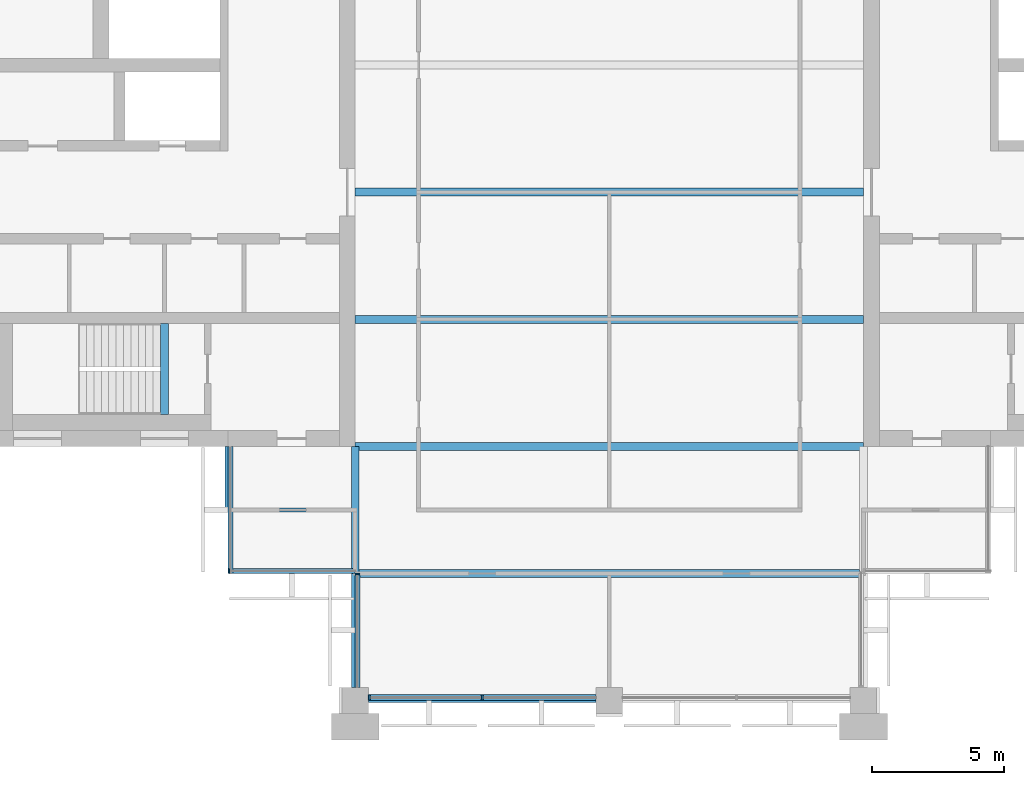
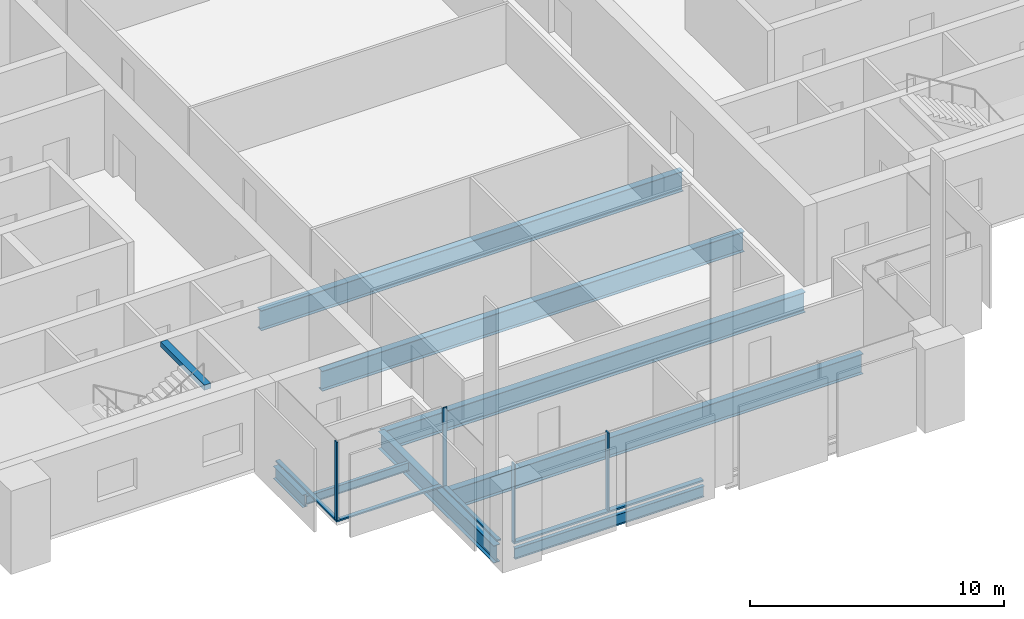
# One storey, part 2 of 12: 9 beams, 8 members, 4 elements without a shape of their own.
"""IFC4 building model written with IfcOpenShell, lengths in metres."""

from ifc_helpers import new_model, si_unit, direction, frame, origin, origin_2d, place, context, subcontext, project, spatial, rectangle, i_section, extrude, material, material_profile, profile_set, type_object, element, aggregate, save


model = new_model("IFC4")

# Units and contexts
model_context = context("Model", 3, precision=1e-05, world=origin(), true_north=direction((0.0, 1.0)))
body_context = subcontext(model_context, "Body", "Model", "MODEL_VIEW")
ifc_project = project(units=[si_unit("LENGTHUNIT", "METRE"), si_unit("AREAUNIT", "SQUARE_METRE"), si_unit("VOLUMEUNIT", "CUBIC_METRE"), si_unit("PLANEANGLEUNIT", "RADIAN"), si_unit("MASSUNIT", "GRAM", prefix="KILO")], contexts=[model_context])

# Site, building, storey
site_placement = place(None, origin())
site = spatial("IfcSite", under=ifc_project, at=site_placement, CompositionType="ELEMENT")
building_placement = place(site_placement, origin())
building = spatial("IfcBuilding", under=site, at=building_placement, Name="Baori Bourse Tower", CompositionType="ELEMENT")
storey_placement = place(building_placement, frame((0.0, 0.0, 342.300048828125)))
storey = spatial("IfcBuildingStorey", under=building, at=storey_placement, Name="L76", CompositionType="ELEMENT", Elevation=342.300048828125)

# Curtain wall, member
ifc_material_1 = material(Name="Pale anodised aluminium", Category="aluminium")
curtain_wall_type_1 = type_object("IfcCurtainWallType", Name="CW2 Curtain wall", PredefinedType="NOTDEFINED", material=ifc_material_1)
curtain_wall_1_placement = place(storey_placement, origin())
curtain_wall_1 = element("IfcCurtainWall", 1, at=curtain_wall_1_placement, inside=storey, type_object=curtain_wall_type_1, Name="Curtain wall CW2 L76 9", PredefinedType="NOTDEFINED")
ifc_material_2 = material(Name="Pale anodised aluminium", Category="aluminium")
ifc_material_profile_1 = material_profile(ifc_material_2, rectangle(XDim=0.179931640625, YDim=0.054931640625, at=origin_2d()), Name="Mullion 55x180")
ifc_profile_set_1 = profile_set([ifc_material_profile_1], Name="Pale anodised aluminium")
member_type_1 = type_object("IfcMemberType", Name="CW2 Curtain wall mullion", PredefinedType="MULLION", material=ifc_profile_set_1)
member_1_placement = place(storey_placement, frame((14.427490234375, 4.889892578125, 0.070068359375), z_axis=(0.0, 0.0, 1.0), x_axis=(0.0, 1.0, 0.0)))
member_1 = element("IfcMember", 2, at=member_1_placement, type_object=member_type_1, Name="Curtain wall CW2 mullion", PredefinedType="MULLION", context=body_context, shape_type="SweptSolid", body=[
    extrude(rectangle(XDim=0.179931640625, YDim=0.054931640625, at=origin_2d()), origin(), (0.0, 0.0, 1.0), 3.769775390625),
])

curtain_wall_2_placement = place(storey_placement, origin())
curtain_wall_2 = element("IfcCurtainWall", 3, at=curtain_wall_2_placement, inside=storey, type_object=curtain_wall_type_1, Name="Curtain wall CW2 L76 10", PredefinedType="NOTDEFINED")
member_2_placement = place(storey_placement, frame((19.2900390625, 4.7724609375, 0.070068359375), z_axis=(0.0, 0.0, 1.0), x_axis=(1.0, 0.0, 0.0)))
member_2 = element("IfcMember", 4, at=member_2_placement, type_object=member_type_1, Name="Curtain wall CW2 mullion", PredefinedType="MULLION", context=body_context, shape_type="SweptSolid", body=[
    extrude(rectangle(XDim=0.179931640625, YDim=0.054931640625, at=origin_2d()), origin(), (0.0, 0.0, 1.0), 3.769775390625),
])

curtain_wall_3_placement = place(storey_placement, origin())
curtain_wall_3 = element("IfcCurtainWall", 5, at=curtain_wall_3_placement, inside=storey, type_object=curtain_wall_type_1, Name="Curtain wall CW2 L76 8", PredefinedType="NOTDEFINED")
ifc_material_3 = material(Name="Pale anodised aluminium", Category="aluminium")
ifc_material_profile_2 = material_profile(ifc_material_3, rectangle(XDim=0.179931640625, YDim=0.070068359375, at=origin_2d()), Name="Transom 70x180")
ifc_profile_set_2 = profile_set([ifc_material_profile_2], Name="Pale anodised aluminium")
member_type_2 = type_object("IfcMemberType", Name="CW2 Curtain wall transom", PredefinedType="USERDEFINED", material=ifc_profile_set_2)
member_3_placement = place(storey_placement, frame((14.489990234375, 9.60009765625, 0.034912109375), z_axis=(0.0, -1.0, 0.0), x_axis=(1.0, 0.0, 0.0)))
member_3 = element("IfcMember", 6, at=member_3_placement, type_object=member_type_2, Name="Curtain wall CW2 sill rail", ObjectType="TRANSOM", PredefinedType="USERDEFINED", context=body_context, shape_type="SweptSolid", body=[
    extrude(rectangle(XDim=0.179931640625, YDim=0.070068359375, at=origin_2d()), origin(), (0.0, 0.0, 1.0), 4.800048828125),
])
aggregate(curtain_wall_3, [member_3])

# Member
member_4_placement = place(storey_placement, frame((14.39990234375, 4.889892578125, 0.034912109375), z_axis=(1.0, 0.0, 0.0), x_axis=(0.0, 1.0, 0.0)))
member_4 = element("IfcMember", 7, at=member_4_placement, type_object=member_type_2, Name="Curtain wall CW2 sill rail", ObjectType="TRANSOM", PredefinedType="USERDEFINED", context=body_context, shape_type="SweptSolid", body=[
    extrude(rectangle(XDim=0.179931640625, YDim=0.070068359375, at=origin_2d()), origin(), (0.0, 0.0, 1.0), 4.800048828125),
])

aggregate(curtain_wall_1, [member_4, member_1])

member_5_placement = place(storey_placement, frame((19.2900390625, 4.800048828125, 0.034912109375), z_axis=(0.0, -1.0, 0.0), x_axis=(1.0, 0.0, 0.0)))
member_5 = element("IfcMember", 8, at=member_5_placement, type_object=member_type_2, Name="Curtain wall CW2 sill rail", ObjectType="TRANSOM", PredefinedType="USERDEFINED", context=body_context, shape_type="SweptSolid", body=[
    extrude(rectangle(XDim=0.179931640625, YDim=0.070068359375, at=origin_2d()), origin(), (0.0, 0.0, 1.0), 4.300048828125),
])

aggregate(curtain_wall_2, [member_5, member_2])

# Curtain wall, members
ifc_material_4 = material(Name="Pale anodised aluminium", Category="aluminium")
curtain_wall_type_2 = type_object("IfcCurtainWallType", Name="CW5 Curtain wall", PredefinedType="NOTDEFINED", material=ifc_material_4)
curtain_wall_4_placement = place(storey_placement, origin())
curtain_wall_4 = element("IfcCurtainWall", 9, at=curtain_wall_4_placement, inside=storey, type_object=curtain_wall_type_2, Name="Curtain wall CW5 L76 11", PredefinedType="NOTDEFINED")
ifc_material_5 = material(Name="Pale anodised aluminium", Category="aluminium")
ifc_material_profile_3 = material_profile(ifc_material_5, rectangle(XDim=0.219970703125, YDim=0.06494140625, at=origin_2d()), Name="Mullion 65x220")
ifc_profile_set_3 = profile_set([ifc_material_profile_3], Name="Pale anodised aluminium")
member_type_3 = type_object("IfcMemberType", Name="CW5 Curtain wall mullion", PredefinedType="MULLION", material=ifc_profile_set_3)
member_6_placement = place(storey_placement, frame((19.732421875, 0.110107421875, 0.0849609375), z_axis=(0.0, 0.0, 1.0), x_axis=(0.0, 1.0, 0.0)))
member_6 = element("IfcMember", 10, at=member_6_placement, type_object=member_type_3, Name="Curtain wall CW5 mullion", PredefinedType="MULLION", context=body_context, shape_type="SweptSolid", body=[
    extrude(rectangle(XDim=0.219970703125, YDim=0.06494140625, at=origin_2d()), origin(), (0.0, 0.0, 1.0), 3.7548828125),
])
member_7_placement = place(storey_placement, frame((24.0, 0.110107421875, 0.0849609375), z_axis=(0.0, 0.0, 1.0), x_axis=(0.0, 1.0, 0.0)))
member_7 = element("IfcMember", 11, at=member_7_placement, type_object=member_type_3, Name="Curtain wall CW5 mullion", PredefinedType="MULLION", context=body_context, shape_type="SweptSolid", body=[
    extrude(rectangle(XDim=0.219970703125, YDim=0.06494140625, at=origin_2d()), origin(), (0.0, 0.0, 1.0), 3.7548828125),
])
ifc_material_6 = material(Name="Pale anodised aluminium", Category="aluminium")
ifc_material_profile_4 = material_profile(ifc_material_6, rectangle(XDim=0.219970703125, YDim=0.0849609375, at=origin_2d()), Name="Transom 85x220")
ifc_profile_set_4 = profile_set([ifc_material_profile_4], Name="Pale anodised aluminium")
member_type_4 = type_object("IfcMemberType", Name="CW5 Curtain wall transom", PredefinedType="USERDEFINED", material=ifc_profile_set_4)
member_8_placement = place(storey_placement, frame((19.699951171875, 0.110107421875, 0.04248046875), z_axis=(1.0, 0.0, 0.0), x_axis=(0.0, 1.0, 0.0)))
member_8 = element("IfcMember", 12, at=member_8_placement, type_object=member_type_4, Name="Curtain wall CW5 sill rail", ObjectType="TRANSOM", PredefinedType="USERDEFINED", context=body_context, shape_type="SweptSolid", body=[
    extrude(rectangle(XDim=0.219970703125, YDim=0.0849609375, at=origin_2d()), origin(), (0.0, 0.0, 1.0), 8.60009765625),
])
aggregate(curtain_wall_4, [member_8, member_6, member_7])

# Beams
ifc_material_7 = material(Name="Steel A992 Gr 50", Category="steel")
ifc_material_profile_5 = material_profile(ifc_material_7, i_section(OverallWidth=0.227783203125, OverallDepth=0.60205078125, WebThickness=0.010498046875, FlangeThickness=0.014892578125, at=origin_2d()), Name="W24x68")
ifc_profile_set_5 = profile_set([ifc_material_profile_5], Name="Steel A992 Gr 50")
beam_type_1 = type_object("IfcBeamType", Name="Core bracket W24x68", PredefinedType="BEAM", material=ifc_profile_set_5)
beam_1_placement = place(storey_placement, frame((14.39990234375, 7.270263671875, -0.4609375), z_axis=(0.0, 1.0, 0.0), x_axis=(-1.0, 0.0, 0.0)))
element("IfcBeam", 13, at=beam_1_placement, inside=storey, type_object=beam_type_1, Name="Core bracket L76", PredefinedType="BEAM", context=body_context, shape_type="SweptSolid", body=[
    extrude(i_section(OverallWidth=0.227783203125, OverallDepth=0.60205078125, WebThickness=0.010498046875, FlangeThickness=0.014892578125, at=origin_2d()), origin(), (0.0, 0.0, 1.0), 2.329833984375),
])
ifc_material_8 = material(Name="Steel A992 Gr 50", Category="steel")
ifc_material_profile_6 = material_profile(ifc_material_8, i_section(OverallWidth=0.1650390625, OverallDepth=0.52587890625, WebThickness=0.0087890625, FlangeThickness=0.011474609375, at=origin_2d()), Name="W21x44")
ifc_profile_set_6 = profile_set([ifc_material_profile_6], Name="Steel A992 Gr 50")
beam_type_2 = type_object("IfcBeamType", Name="Edge beam W21x44", PredefinedType="BEAM", material=ifc_profile_set_6)
beam_2_placement = place(storey_placement, frame((19.699951171875, 0.0, -0.4228515625), z_axis=(1.0, 0.0, 0.0), x_axis=(0.0, 1.0, 0.0)))
element("IfcBeam", 14, at=beam_2_placement, inside=storey, type_object=beam_type_2, Name="Edge beam L76", PredefinedType="BEAM", context=body_context, shape_type="SweptSolid", body=[
    extrude(i_section(OverallWidth=0.1650390625, OverallDepth=0.52587890625, WebThickness=0.0087890625, FlangeThickness=0.011474609375, at=origin_2d()), origin(), (0.0, 0.0, 1.0), 8.60009765625),
])
ifc_material_9 = material(Name="Steel A992 Gr 50", Category="steel")
ifc_material_profile_7 = material_profile(ifc_material_9, i_section(OverallWidth=0.2998046875, OverallDepth=0.97021484375, WebThickness=0.01611328125, FlangeThickness=0.02099609375, at=origin_2d()), Name="W40x149")
ifc_profile_set_7 = profile_set([ifc_material_profile_7], Name="Steel A992 Gr 50")
beam_type_3 = type_object("IfcBeamType", Name="Floor beam W40x149", PredefinedType="BEAM", material=ifc_profile_set_7)
beam_3_placement = place(storey_placement, frame((19.345947265625, 4.800048828125, -0.645263671875), z_axis=(1.0, 0.0, 0.0), x_axis=(0.0, 1.0, 0.0)))
element("IfcBeam", 15, at=beam_3_placement, inside=storey, type_object=beam_type_3, Name="Floor beam L76", PredefinedType="BEAM", context=body_context, shape_type="SweptSolid", body=[
    extrude(i_section(OverallWidth=0.2998046875, OverallDepth=0.97021484375, WebThickness=0.01611328125, FlangeThickness=0.02099609375, at=origin_2d()), origin(), (0.0, 0.0, 1.0), 18.907958984375),
])
for number, where, z_axis, x_axis, name in (
    (16, (19.199951171875, 9.60009765625, -0.645263671875), (1.0, 0.0, 0.0), (0.0, 1.0, 0.0), "Floor beam L76"),
    (17, (19.199951171875, 14.39990234375, -0.645263671875), (1.0, 0.0, 0.0), (0.0, 1.0, 0.0), "Floor beam L76"),
    (18, (19.199951171875, 19.199951171875, -0.645263671875), (1.0, 0.0, 0.0), (0.0, 1.0, 0.0), "Floor beam L76"),
):
    element("IfcBeam", number, at=place(storey_placement, frame(where, z_axis=z_axis, x_axis=x_axis)), inside=storey, type_object=beam_type_3, Name=name, PredefinedType="BEAM", context=body_context, shape_type="SweptSolid", body=[
        extrude(i_section(OverallWidth=0.2998046875, OverallDepth=0.97021484375, WebThickness=0.01611328125, FlangeThickness=0.02099609375, at=origin_2d()), origin(), (0.0, 0.0, 1.0), 19.199951171875),
    ])
ifc_material_10 = material(Name="Steel A992 Gr 50", Category="steel")
ifc_material_profile_8 = material_profile(ifc_material_10, i_section(OverallWidth=0.2919921875, OverallDepth=0.835693359375, WebThickness=0.013916015625, FlangeThickness=0.018798828125, at=origin_2d()), Name="W33x118")
ifc_profile_set_8 = profile_set([ifc_material_profile_8], Name="Steel A992 Gr 50")
beam_type_4 = type_object("IfcBeamType", Name="Girder W33x118", PredefinedType="BEAM", material=ifc_profile_set_8)
beam_4_placement = place(storey_placement, frame((19.199951171875, 0.5, -0.577880859375), z_axis=(0.0, 1.0, 0.0), x_axis=(-1.0, 0.0, 0.0)))
element("IfcBeam", 19, at=beam_4_placement, inside=storey, type_object=beam_type_4, Name="Girder L76", PredefinedType="BEAM", context=body_context, shape_type="SweptSolid", body=[
    extrude(i_section(OverallWidth=0.2919921875, OverallDepth=0.835693359375, WebThickness=0.013916015625, FlangeThickness=0.018798828125, at=origin_2d()), origin(), (0.0, 0.0, 1.0), 9.10009765625),
])
ifc_material_11 = material(Name="Concrete f'c 50 MPa", Category="concrete")
ifc_material_profile_9 = material_profile(ifc_material_11, rectangle(XDim=0.300048828125, YDim=0.25, at=origin_2d()), Name="RC 300x250")
ifc_profile_set_9 = profile_set([ifc_material_profile_9], Name="Concrete f'c 50 MPa")
beam_type_5 = type_object("IfcBeamType", Name="Stair nib beam RC 300x250", PredefinedType="BEAM", material=ifc_profile_set_9)
beam_5_placement = place(storey_placement, frame((12.0, 10.800048828125, 3.71484375), z_axis=(0.0, 1.0, 0.0), x_axis=(-1.0, 0.0, 0.0)))
element("IfcBeam", 20, at=beam_5_placement, inside=storey, type_object=beam_type_5, Name="Stair WA nib beam L77", PredefinedType="BEAM", context=body_context, shape_type="SweptSolid", body=[
    extrude(rectangle(XDim=0.300048828125, YDim=0.25, at=origin_2d()), origin(), (0.0, 0.0, 1.0), 3.449951171875),
])
ifc_material_12 = material(Name="Steel A992 Gr 50", Category="steel")
ifc_material_profile_10 = material_profile(ifc_material_12, i_section(OverallWidth=0.140380859375, OverallDepth=0.40380859375, WebThickness=0.007080078125, FlangeThickness=0.01123046875, at=origin_2d()), Name="W16x31")
ifc_profile_set_10 = profile_set([ifc_material_profile_10], Name="Steel A992 Gr 50")
beam_type_6 = type_object("IfcBeamType", Name="Trimmer beam W16x31", PredefinedType="BEAM", material=ifc_profile_set_10)
beam_6_placement = place(storey_placement, frame((14.39990234375, 7.199951171875, -0.362060546875), z_axis=(1.0, 0.0, 0.0), x_axis=(0.0, 1.0, 0.0)))
element("IfcBeam", 21, at=beam_6_placement, inside=storey, type_object=beam_type_6, Name="Trimmer beam L76", PredefinedType="BEAM", context=body_context, shape_type="SweptSolid", body=[
    extrude(i_section(OverallWidth=0.140380859375, OverallDepth=0.40380859375, WebThickness=0.007080078125, FlangeThickness=0.01123046875, at=origin_2d()), origin(), (0.0, 0.0, 1.0), 4.654052734375),
])

save(model, "model.ifc")
